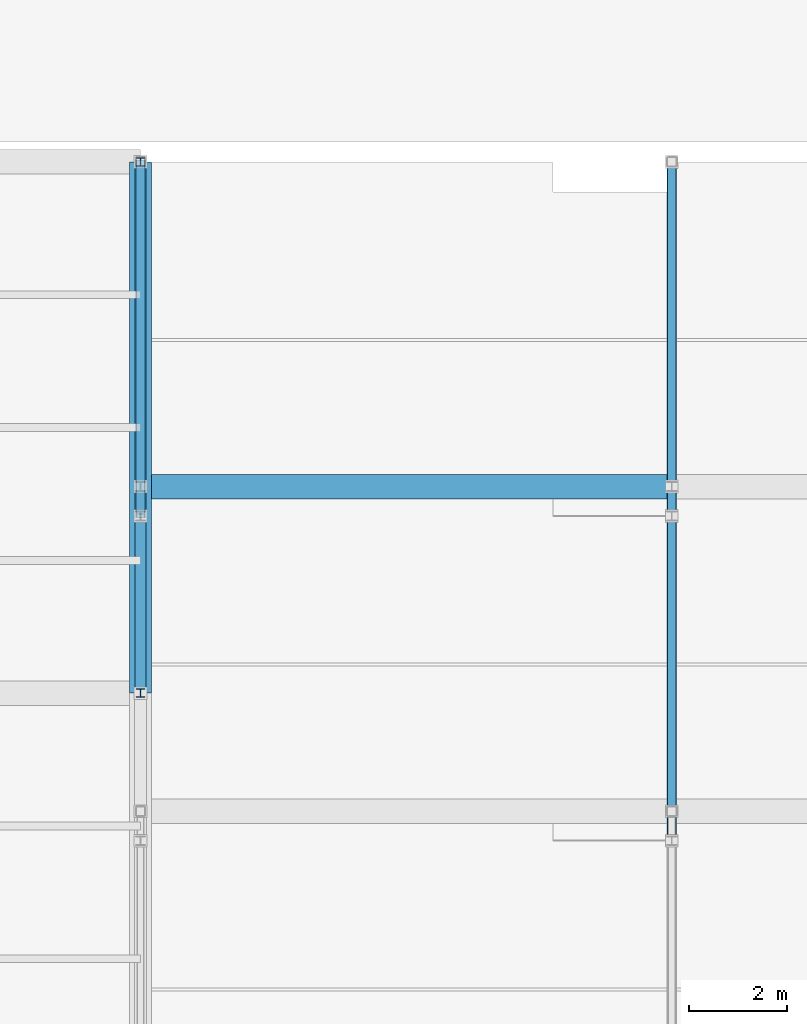
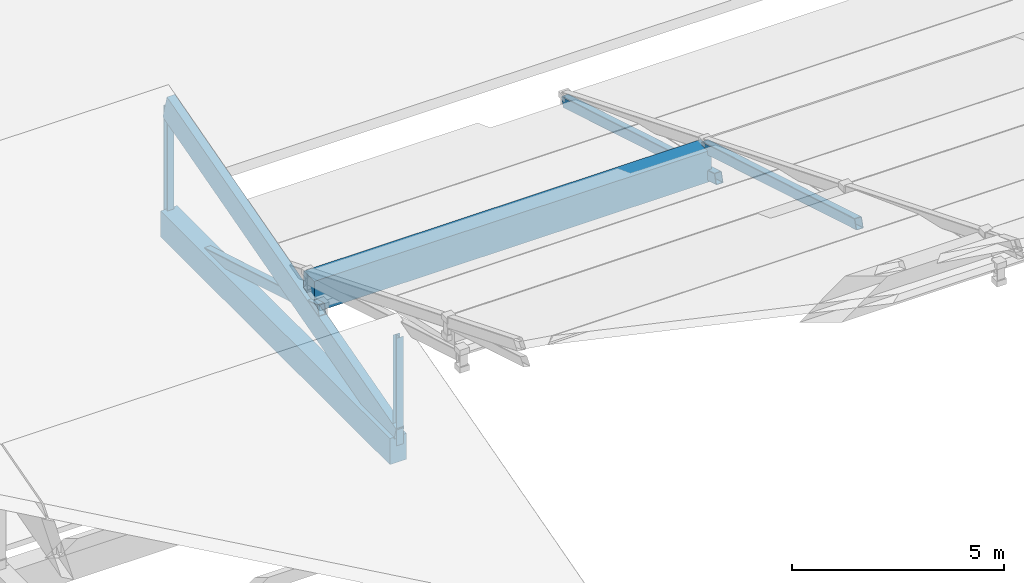
# One storey, part 47 of 112: 6 members, 2 beams.
"""IFC4 building model written with IfcOpenShell, lengths in metres."""

from ifc_helpers import new_model, si_unit, direction, frame, origin, origin_2d, place, context, subcontext, project, spatial, rectangle, hollow_rectangle, i_section, extrude, material, material_profile, profile_set, type_object, element, save


model = new_model("IFC4")

# Units and contexts
model_context = context("Model", 3, precision=1e-05, world=origin(), true_north=direction((0.0, 1.0)))
body_context = subcontext(model_context, "Body", "Model", "MODEL_VIEW")
ifc_project = project(units=[si_unit("LENGTHUNIT", "METRE"), si_unit("AREAUNIT", "SQUARE_METRE"), si_unit("VOLUMEUNIT", "CUBIC_METRE"), si_unit("PLANEANGLEUNIT", "RADIAN"), si_unit("MASSUNIT", "GRAM", prefix="KILO")], contexts=[model_context])

# Site, building, storey
site_placement = place(None, origin())
site = spatial("IfcSite", under=ifc_project, at=site_placement, CompositionType="ELEMENT")
building_placement = place(site_placement, origin())
building = spatial("IfcBuilding", under=site, at=building_placement, Name="Zwinboog Wholesale Market", CompositionType="ELEMENT")
storey_placement = place(building_placement, frame((0.0, 0.0, 19.080078125)))
storey = spatial("IfcBuildingStorey", under=building, at=storey_placement, Name="Roof", CompositionType="ELEMENT", Elevation=19.080078125)

# Beams
ifc_material_1 = material(Name="Precast concrete C45/55", Category="concrete")
ifc_material_profile_1 = material_profile(ifc_material_1, rectangle(XDim=0.449951171875, YDim=0.75, at=origin_2d()), Name="PC 450x750")
ifc_profile_set_1 = profile_set([ifc_material_profile_1], Name="Precast concrete C45/55")
beam_type_1 = type_object("IfcBeamType", Name="BT-04", PredefinedType="BEAM", material=ifc_profile_set_1)
beam_1_placement = place(storey_placement, frame((64.800048828125, 97.199951171875, -9.375), z_axis=(0.0, 1.0, 0.0), x_axis=(-1.0, 0.0, 0.0)))
element("IfcBeam", 1, at=beam_1_placement, inside=storey, type_object=beam_type_1, Name="BG-04 (BMG-Roof-0648-0972-1258)", PredefinedType="BEAM", context=body_context, shape_type="SweptSolid", body=[
    extrude(rectangle(XDim=0.449951171875, YDim=0.75, at=origin_2d()), origin(), (0.0, 0.0, 1.0), 10.800048828125),
])
ifc_material_profile_2 = material_profile(ifc_material_1, rectangle(XDim=0.5, YDim=0.89990234375, at=origin_2d()), Name="PC 500x900")
ifc_profile_set_2 = profile_set([ifc_material_profile_2], Name="Precast concrete C45/55")
beam_type_2 = type_object("IfcBeamType", Name="BT-06", PredefinedType="BEAM", material=ifc_profile_set_2)
beam_2_placement = place(storey_placement, frame((64.800048828125, 101.39990234375, -7.402099609375), z_axis=(1.0, 0.0, 0.0), x_axis=(0.0, 1.0, 0.0)))
element("IfcBeam", 2, at=beam_2_placement, inside=storey, type_object=beam_type_2, Name="EB-01 (BMG-Roof-0648-1014-1062)", PredefinedType="BEAM", context=body_context, shape_type="SweptSolid", body=[
    extrude(rectangle(XDim=0.5, YDim=0.89990234375, at=origin_2d()), origin(), (0.0, 0.0, 1.0), 10.800048828125),
])

# Members
ifc_material_2 = material(Name="Steel S355", Category="steel")
ifc_material_profile_3 = material_profile(ifc_material_2, hollow_rectangle(XDim=0.199951171875, YDim=0.300048828125, WallThickness=0.012451171875, InnerFilletRadius=0.012451171875, OuterFilletRadius=0.02490234375, at=origin_2d()), Name="RHS 300x200x12.5")
ifc_profile_set_3 = profile_set([ifc_material_profile_3], Name="Steel S355")
member_type_1 = type_object("IfcMemberType", Name="MT-01", PredefinedType="CHORD", material=ifc_profile_set_3)
for number, where, z_axis, x_axis, name in (
    (3, (64.800048828125, 108.0, -9.7001953125), (0.0, -0.958185911438, 0.286146394562), (1.0, 0.0, 0.0), "DC-01 (MEM-Roof-0017)"),
    (4, (75.60009765625, 108.0, -9.7001953125), (0.0, -0.958185911438, 0.286146394562), (1.0, 0.0, 0.0), "DC-01 (MEM-Roof-0047)"),
    (5, (75.60009765625, 101.39990234375, -7.0), (0.0, -0.958194819429, 0.286116563694), (1.0, 0.0, 0.0), "DC-01 (MEM-Roof-0050)"),
):
    element("IfcMember", number, at=place(storey_placement, frame(where, z_axis=z_axis, x_axis=x_axis)), inside=storey, type_object=member_type_1, Name=name, PredefinedType="CHORD", context=body_context, shape_type="SweptSolid", body=[
        extrude(hollow_rectangle(XDim=0.199951171875, YDim=0.300048828125, WallThickness=0.012451171875, InnerFilletRadius=0.012451171875, OuterFilletRadius=0.02490234375, at=origin_2d()), origin(), (0.0, 0.0, 1.0), 7.51416015625),
    ])
ifc_material_profile_4 = material_profile(ifc_material_2, i_section(OverallWidth=0.179931640625, OverallDepth=0.1708984375, WebThickness=0.006103515625, FlangeThickness=0.009521484375, FilletRadius=0.014892578125, at=origin_2d()), Name="HEA 180")
ifc_profile_set_4 = profile_set([ifc_material_profile_4], Name="Steel S355")
member_type_2 = type_object("IfcMemberType", Name="MT-07", PredefinedType="BRACE", material=ifc_profile_set_4)
member_1_placement = place(storey_placement, frame((64.800048828125, 97.199951171875, -9.2001953125), z_axis=(0.0, 0.0, 1.0), x_axis=(1.0, 0.0, 0.0)))
element("IfcMember", 6, at=member_1_placement, inside=storey, type_object=member_type_2, Name="DB-04 (MEM-Roof-0871)", PredefinedType="BRACE", context=body_context, shape_type="SweptSolid", body=[
    extrude(i_section(OverallWidth=0.179931640625, OverallDepth=0.1708984375, WebThickness=0.006103515625, FlangeThickness=0.009521484375, FilletRadius=0.014892578125, at=origin_2d()), origin(), (0.0, 0.0, 1.0), 3.0869140625),
])
member_2_placement = place(storey_placement, frame((64.800048828125, 108.0, -9.2001953125), z_axis=(0.0, 0.0, 1.0), x_axis=(1.0, 0.0, 0.0)))
element("IfcMember", 7, at=member_2_placement, inside=storey, type_object=member_type_2, Name="DB-04 (MEM-Roof-0880)", PredefinedType="BRACE", context=body_context, shape_type="SweptSolid", body=[
    extrude(i_section(OverallWidth=0.179931640625, OverallDepth=0.1708984375, WebThickness=0.006103515625, FlangeThickness=0.009521484375, FilletRadius=0.014892578125, at=origin_2d()), origin(), (0.0, 0.0, 1.0), 3.14697265625),
])
ifc_material_3 = material(Name="Glulam GL28h", Category="wood")
ifc_material_profile_5 = material_profile(ifc_material_3, rectangle(XDim=0.219970703125, YDim=0.719970703125, at=origin_2d()), Name="GL28h 220x720")
ifc_profile_set_5 = profile_set([ifc_material_profile_5], Name="Glulam GL28h")
member_type_3 = type_object("IfcMemberType", Name="MT-10", PredefinedType="RAFTER", material=ifc_profile_set_5)
member_3_placement = place(storey_placement, frame((64.800048828125, 97.199951171875, -9.05322265625), z_axis=(0.0, 0.963518221675, 0.26764274042), x_axis=(-1.0, 0.0, 0.0)))
element("IfcMember", 8, at=member_3_placement, inside=storey, type_object=member_type_3, Name="GR-02 (MEM-Roof-0881)", PredefinedType="RAFTER", context=body_context, shape_type="SweptSolid", body=[
    extrude(rectangle(XDim=0.219970703125, YDim=0.719970703125, at=origin_2d()), origin(), (0.0, 0.0, 1.0), 11.208984375),
])

save(model, "model.ifc")
